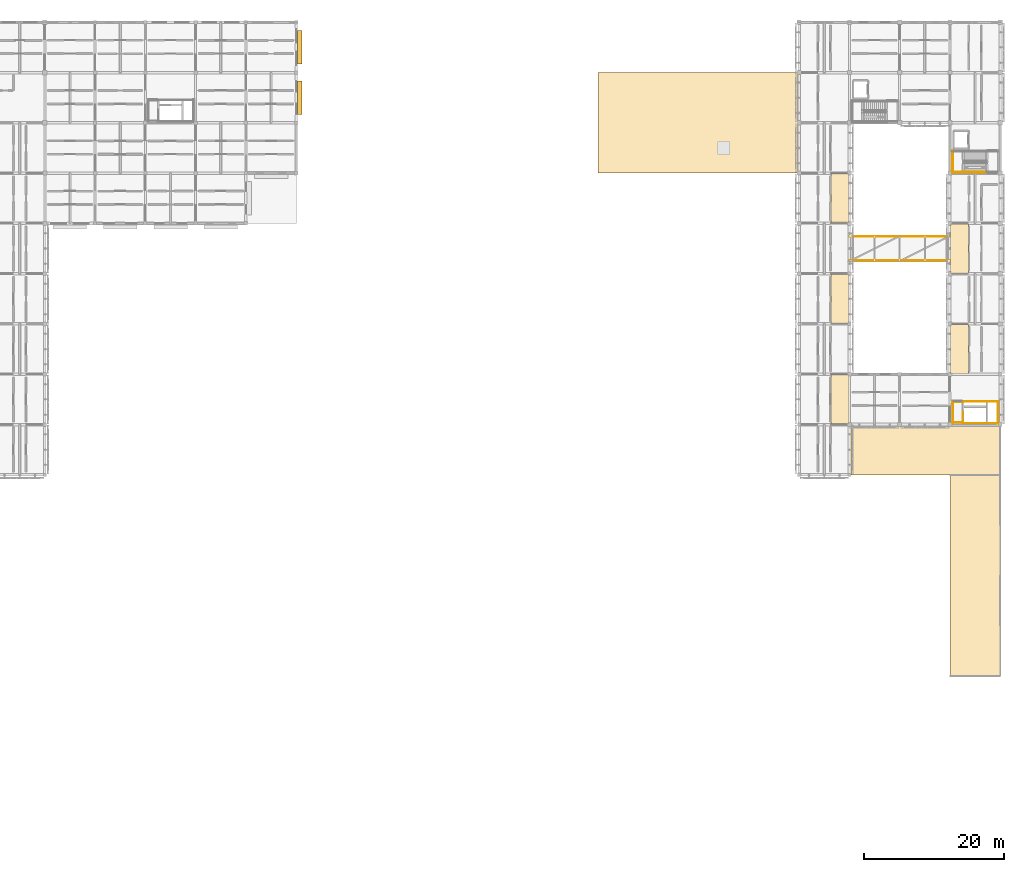
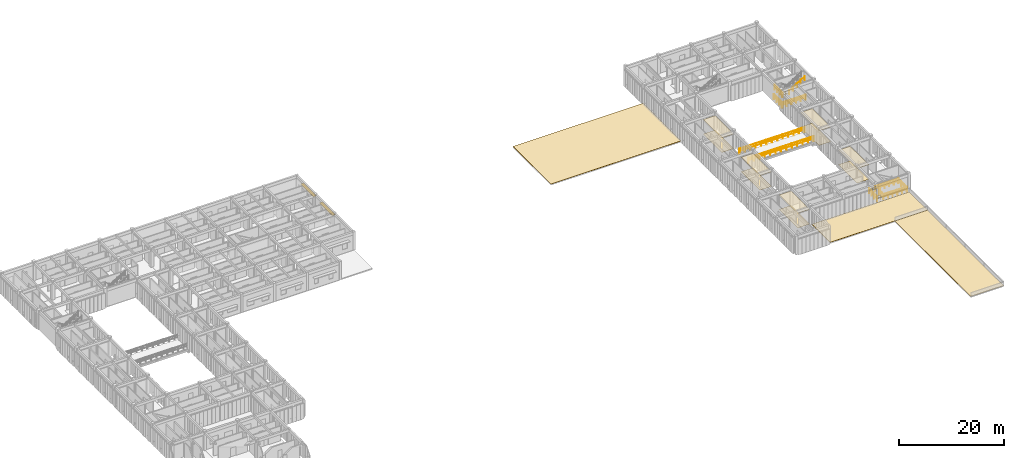
# One storey, part 90 of 91: 14 railings, 13 coverings, 2 shading devices.
"""IFC4 building model written with IfcOpenShell, lengths in metres."""

from ifc_helpers import new_model, si_unit, direction, frame, origin, origin_2d, place, context, subcontext, project, spatial, polyline, rectangle, circle, outline, extrude, material, layer, layer_set, type_object, element, save


model = new_model("IFC4")

# Units and contexts
model_context = context("Model", 3, precision=1e-05, world=origin(), true_north=direction((0.0, 1.0)))
body_context = subcontext(model_context, "Body", "Model", "MODEL_VIEW")
ifc_project = project(units=[si_unit("LENGTHUNIT", "METRE"), si_unit("AREAUNIT", "SQUARE_METRE"), si_unit("VOLUMEUNIT", "CUBIC_METRE"), si_unit("PLANEANGLEUNIT", "RADIAN"), si_unit("MASSUNIT", "GRAM", prefix="KILO")], contexts=[model_context])

# Site, building, storey
site_placement = place(None, origin())
site = spatial("IfcSite", under=ifc_project, at=site_placement, CompositionType="ELEMENT")
building_placement = place(site_placement, origin())
building = spatial("IfcBuilding", under=site, at=building_placement, Name="Aldebral Square Health Centre", CompositionType="ELEMENT")
storey_placement = place(building_placement, frame((0.0, 0.0, 9.0)))
storey = spatial("IfcBuildingStorey", under=building, at=storey_placement, Name="L02", CompositionType="ELEMENT", Elevation=9.0)

# Coverings
ifc_material_1 = material(Name="Hygienic acoustic mineral ceiling tile")
ifc_layer_1 = layer(ifc_material_1, 0.02001953125, Name="Hygienic acoustic mineral ceiling tile")
ifc_layer_set_1 = layer_set([ifc_layer_1], Name="Hygienic acoustic mineral ceiling tile")
covering_type_1 = type_object("IfcCoveringType", Name="COV-CLG-AC", PredefinedType="CEILING", material=ifc_layer_set_1)
covering_1_placement = place(storey_placement, frame((0.0, 0.0, 3.360107421875)))
element("IfcCovering", 1, at=covering_1_placement, inside=storey, type_object=covering_type_1, Name="L02 Orthopaedic Cast Clinic 20.9E acoustic ceiling", PredefinedType="CEILING", context=body_context, shape_type="SweptSolid", body=[
    extrude(outline(polyline([(141.340087890625, 57.659912109375), (143.93994140625, 57.659912109375), (143.93994140625, 64.739990234375), (141.340087890625, 64.739990234375), (141.340087890625, 57.659912109375)])), origin(), (0.0, 0.0, 1.0), 0.019775390625),
])
covering_2_placement = place(storey_placement, frame((0.0, 0.0, 3.360107421875)))
element("IfcCovering", 2, at=covering_2_placement, inside=storey, type_object=covering_type_1, Name="L02 Ophthalmology Exam Suite 20.11E acoustic ceiling", PredefinedType="CEILING", context=body_context, shape_type="SweptSolid", body=[
    extrude(outline(polyline([(141.340087890625, 72.06005859375), (143.93994140625, 72.06005859375), (143.93994140625, 79.139892578125), (141.340087890625, 79.139892578125), (141.340087890625, 72.06005859375)])), origin(), (0.0, 0.0, 1.0), 0.019775390625),
])
covering_3_placement = place(storey_placement, frame((0.0, 0.0, 3.360107421875)))
element("IfcCovering", 3, at=covering_3_placement, inside=storey, type_object=covering_type_1, Name="L02 Accessible WC 20.13E acoustic ceiling", PredefinedType="CEILING", context=body_context, shape_type="SweptSolid", body=[
    extrude(outline(polyline([(141.340087890625, 86.4599609375), (143.93994140625, 86.4599609375), (143.93994140625, 93.5400390625), (141.340087890625, 93.5400390625), (141.340087890625, 86.4599609375)])), origin(), (0.0, 0.0, 1.0), 0.019775390625),
])
covering_4_placement = place(storey_placement, frame((0.0, 0.0, 3.360107421875)))
element("IfcCovering", 4, at=covering_4_placement, inside=storey, type_object=covering_type_1, Name="L02 Orthopaedic Cast Clinic 23.10W acoustic ceiling", PredefinedType="CEILING", context=body_context, shape_type="SweptSolid", body=[
    extrude(outline(polyline([(158.4599609375, 64.860107421875), (161.06005859375, 64.860107421875), (161.06005859375, 71.93994140625), (158.4599609375, 71.93994140625), (158.4599609375, 64.860107421875)])), origin(), (0.0, 0.0, 1.0), 0.019775390625),
])
covering_5_placement = place(storey_placement, frame((0.0, 0.0, 3.360107421875)))
element("IfcCovering", 5, at=covering_5_placement, inside=storey, type_object=covering_type_1, Name="L02 Ophthalmology Exam Suite 23.12W acoustic ceiling", PredefinedType="CEILING", context=body_context, shape_type="SweptSolid", body=[
    extrude(outline(polyline([(158.4599609375, 79.260009765625), (161.06005859375, 79.260009765625), (161.06005859375, 86.340087890625), (158.4599609375, 86.340087890625), (158.4599609375, 79.260009765625)])), origin(), (0.0, 0.0, 1.0), 0.019775390625),
])
ifc_material_2 = material(Name="Antimicrobial clinical vinyl flooring")
ifc_layer_2 = layer(ifc_material_2, 0.014892578125, Name="Antimicrobial clinical vinyl flooring")
ifc_layer_set_2 = layer_set([ifc_layer_2], Name="Antimicrobial clinical vinyl flooring")
covering_type_2 = type_object("IfcCoveringType", Name="COV-FLR-VN", PredefinedType="FLOORING", material=ifc_layer_set_2)
covering_6_placement = place(storey_placement, origin())
element("IfcCovering", 6, at=covering_6_placement, inside=storey, type_object=covering_type_2, Name="L02 Orthopaedic Cast Clinic 20.9E clinical flooring", PredefinedType="FLOORING", context=body_context, shape_type="SweptSolid", body=[
    extrude(outline(polyline([(141.340087890625, 57.659912109375), (143.93994140625, 57.659912109375), (143.93994140625, 64.739990234375), (141.340087890625, 64.739990234375), (141.340087890625, 57.659912109375)])), origin(), (0.0, 0.0, 1.0), 0.014892578125),
])
covering_7_placement = place(storey_placement, origin())
element("IfcCovering", 7, at=covering_7_placement, inside=storey, type_object=covering_type_2, Name="L02 Ophthalmology Exam Suite 20.11E clinical flooring", PredefinedType="FLOORING", context=body_context, shape_type="SweptSolid", body=[
    extrude(outline(polyline([(141.340087890625, 72.06005859375), (143.93994140625, 72.06005859375), (143.93994140625, 79.139892578125), (141.340087890625, 79.139892578125), (141.340087890625, 72.06005859375)])), origin(), (0.0, 0.0, 1.0), 0.014892578125),
])
covering_8_placement = place(storey_placement, origin())
element("IfcCovering", 8, at=covering_8_placement, inside=storey, type_object=covering_type_2, Name="L02 Accessible WC 20.13E clinical flooring", PredefinedType="FLOORING", context=body_context, shape_type="SweptSolid", body=[
    extrude(outline(polyline([(141.340087890625, 86.4599609375), (143.93994140625, 86.4599609375), (143.93994140625, 93.5400390625), (141.340087890625, 93.5400390625), (141.340087890625, 86.4599609375)])), origin(), (0.0, 0.0, 1.0), 0.014892578125),
])
covering_9_placement = place(storey_placement, origin())
element("IfcCovering", 9, at=covering_9_placement, inside=storey, type_object=covering_type_2, Name="L02 Orthopaedic Cast Clinic 23.10W clinical flooring", PredefinedType="FLOORING", context=body_context, shape_type="SweptSolid", body=[
    extrude(outline(polyline([(158.4599609375, 64.860107421875), (161.06005859375, 64.860107421875), (161.06005859375, 71.93994140625), (158.4599609375, 71.93994140625), (158.4599609375, 64.860107421875)])), origin(), (0.0, 0.0, 1.0), 0.014892578125),
])
covering_10_placement = place(storey_placement, origin())
element("IfcCovering", 10, at=covering_10_placement, inside=storey, type_object=covering_type_2, Name="L02 Ophthalmology Exam Suite 23.12W clinical flooring", PredefinedType="FLOORING", context=body_context, shape_type="SweptSolid", body=[
    extrude(outline(polyline([(158.4599609375, 79.260009765625), (161.06005859375, 79.260009765625), (161.06005859375, 86.340087890625), (158.4599609375, 86.340087890625), (158.4599609375, 79.260009765625)])), origin(), (0.0, 0.0, 1.0), 0.014892578125),
])
ifc_material_3 = material(Name="Reflective insulated membrane roofing")
ifc_layer_3 = layer(ifc_material_3, 0.050048828125, Name="Reflective insulated membrane roofing")
ifc_layer_set_3 = layer_set([ifc_layer_3], Name="Reflective insulated membrane roofing")
covering_type_3 = type_object("IfcCoveringType", Name="COV-RF-50", PredefinedType="ROOFING", material=ifc_layer_set_3)
covering_11_placement = place(storey_placement, origin())
element("IfcCovering", 11, at=covering_11_placement, inside=storey, type_object=covering_type_3, Name="L01 V3 roof slab 1 insulated roof membrane", PredefinedType="ROOFING", context=body_context, shape_type="SweptSolid", body=[
    extrude(outline(polyline([(158.39990234375, 28.800048828125), (158.39990234375, 36.0), (158.39990234375, 43.199951171875), (158.39990234375, 50.39990234375), (165.60009765625, 50.39990234375), (165.60009765625, 43.199951171875), (165.60009765625, 36.0), (165.60009765625, 28.800048828125), (165.60009765625, 21.60009765625), (158.39990234375, 21.60009765625), (158.39990234375, 28.800048828125)])), origin(), (0.0, 0.0, 1.0), 0.050048828125),
])
covering_12_placement = place(storey_placement, origin())
element("IfcCovering", 12, at=covering_12_placement, inside=storey, type_object=covering_type_3, Name="L01 V5 roof slab 1 insulated roof membrane", PredefinedType="ROOFING", context=body_context, shape_type="SweptSolid", body=[
    extrude(outline(polyline([(115.199951171875, 108.0), (122.39990234375, 108.0), (129.60009765625, 108.0), (136.580078125, 108.0), (136.580078125, 93.60009765625), (129.60009765625, 93.60009765625), (122.39990234375, 93.60009765625), (115.199951171875, 93.60009765625), (108.0, 93.60009765625), (108.0, 100.800048828125), (108.0, 108.0), (115.199951171875, 108.0)])), origin(), (0.0, 0.0, 1.0), 0.050048828125),
])
covering_13_placement = place(storey_placement, origin())
element("IfcCovering", 13, at=covering_13_placement, inside=storey, type_object=covering_type_3, Name="L01 V5 roof slab 2 insulated roof membrane", PredefinedType="ROOFING", context=body_context, shape_type="SweptSolid", body=[
    extrude(outline(polyline([(165.60009765625, 50.39990234375), (158.39990234375, 50.39990234375), (151.199951171875, 50.39990234375), (144.219970703125, 50.39990234375), (144.219970703125, 57.3798828125), (165.60009765625, 57.3798828125), (165.60009765625, 50.39990234375)])), origin(), (0.0, 0.0, 1.0), 0.050048828125),
])

# Railings
ifc_material_4 = material(Name="Cream cantera and steel balustrade", Category="steel")
railing_type_1 = type_object("IfcRailingType", Name="RL-EXT-BAL", PredefinedType="BALUSTRADE", material=ifc_material_4)
railing_1_placement = place(storey_placement, frame((144.080078125, 81.080078125, 0.0)))
element("IfcRailing", 14, at=railing_1_placement, inside=storey, type_object=railing_type_1, Name="East Light Court Bridge L02 balustrade S", PredefinedType="BALUSTRADE", context=body_context, shape_type="SweptSolid", body=[
    extrude(circle(Radius=0.02392578125, at=origin_2d()), frame((0.0, 0.0, 1.09619140625), z_axis=(1.0, 0.0, 0.0), x_axis=(0.0, 1.0, 0.0)), (0.0, 0.0, 1.0), 14.239990234375),
    extrude(circle(Radius=0.02392578125, at=origin_2d()), frame((0.0, 0.0, 0.56005859375), z_axis=(1.0, 0.0, 0.0), x_axis=(0.0, 1.0, 0.0)), (0.0, 0.0, 1.0), 14.239990234375),
    extrude(circle(Radius=0.02099609375, at=origin_2d()), origin(), (0.0, 0.0, 1.0), 1.072021484375),
    extrude(circle(Radius=0.02099609375, at=origin_2d()), frame((1.186767578125, 0.0, 0.0)), (0.0, 0.0, 1.0), 1.072021484375),
    extrude(circle(Radius=0.02099609375, at=origin_2d()), frame((2.373291015625, 0.0, 0.0)), (0.0, 0.0, 1.0), 1.072021484375),
    extrude(circle(Radius=0.02099609375, at=origin_2d()), frame((3.56005859375, 0.0, 0.0)), (0.0, 0.0, 1.0), 1.072021484375),
    extrude(circle(Radius=0.02099609375, at=origin_2d()), frame((4.74658203125, 0.0, 0.0)), (0.0, 0.0, 1.0), 1.072021484375),
    extrude(circle(Radius=0.02099609375, at=origin_2d()), frame((5.933349609375, 0.0, 0.0)), (0.0, 0.0, 1.0), 1.072021484375),
    extrude(circle(Radius=0.02099609375, at=origin_2d()), frame((7.1201171875, 0.0, 0.0)), (0.0, 0.0, 1.0), 1.072021484375),
    extrude(circle(Radius=0.02099609375, at=origin_2d()), frame((8.306640625, 0.0, 0.0)), (0.0, 0.0, 1.0), 1.072021484375),
    extrude(circle(Radius=0.02099609375, at=origin_2d()), frame((9.493408203125, 0.0, 0.0)), (0.0, 0.0, 1.0), 1.072021484375),
    extrude(circle(Radius=0.02099609375, at=origin_2d()), frame((10.679931640625, 0.0, 0.0)), (0.0, 0.0, 1.0), 1.072021484375),
    extrude(circle(Radius=0.02099609375, at=origin_2d()), frame((11.86669921875, 0.0, 0.0)), (0.0, 0.0, 1.0), 1.072021484375),
    extrude(circle(Radius=0.02099609375, at=origin_2d()), frame((13.05322265625, 0.0, 0.0)), (0.0, 0.0, 1.0), 1.072021484375),
    extrude(circle(Radius=0.02099609375, at=origin_2d()), frame((14.239990234375, 0.0, 0.0)), (0.0, 0.0, 1.0), 1.072021484375),
])
railing_2_placement = place(storey_placement, frame((144.080078125, 84.52001953125, 0.0)))
element("IfcRailing", 15, at=railing_2_placement, inside=storey, type_object=railing_type_1, Name="East Light Court Bridge L02 balustrade N", PredefinedType="BALUSTRADE", context=body_context, shape_type="SweptSolid", body=[
    extrude(circle(Radius=0.02392578125, at=origin_2d()), frame((0.0, 0.0, 1.09619140625), z_axis=(1.0, 0.0, 0.0), x_axis=(0.0, 1.0, 0.0)), (0.0, 0.0, 1.0), 14.239990234375),
    extrude(circle(Radius=0.02392578125, at=origin_2d()), frame((0.0, 0.0, 0.56005859375), z_axis=(1.0, 0.0, 0.0), x_axis=(0.0, 1.0, 0.0)), (0.0, 0.0, 1.0), 14.239990234375),
    extrude(circle(Radius=0.02099609375, at=origin_2d()), origin(), (0.0, 0.0, 1.0), 1.072021484375),
    extrude(circle(Radius=0.02099609375, at=origin_2d()), frame((1.186767578125, 0.0, 0.0)), (0.0, 0.0, 1.0), 1.072021484375),
    extrude(circle(Radius=0.02099609375, at=origin_2d()), frame((2.373291015625, 0.0, 0.0)), (0.0, 0.0, 1.0), 1.072021484375),
    extrude(circle(Radius=0.02099609375, at=origin_2d()), frame((3.56005859375, 0.0, 0.0)), (0.0, 0.0, 1.0), 1.072021484375),
    extrude(circle(Radius=0.02099609375, at=origin_2d()), frame((4.74658203125, 0.0, 0.0)), (0.0, 0.0, 1.0), 1.072021484375),
    extrude(circle(Radius=0.02099609375, at=origin_2d()), frame((5.933349609375, 0.0, 0.0)), (0.0, 0.0, 1.0), 1.072021484375),
    extrude(circle(Radius=0.02099609375, at=origin_2d()), frame((7.1201171875, 0.0, 0.0)), (0.0, 0.0, 1.0), 1.072021484375),
    extrude(circle(Radius=0.02099609375, at=origin_2d()), frame((8.306640625, 0.0, 0.0)), (0.0, 0.0, 1.0), 1.072021484375),
    extrude(circle(Radius=0.02099609375, at=origin_2d()), frame((9.493408203125, 0.0, 0.0)), (0.0, 0.0, 1.0), 1.072021484375),
    extrude(circle(Radius=0.02099609375, at=origin_2d()), frame((10.679931640625, 0.0, 0.0)), (0.0, 0.0, 1.0), 1.072021484375),
    extrude(circle(Radius=0.02099609375, at=origin_2d()), frame((11.86669921875, 0.0, 0.0)), (0.0, 0.0, 1.0), 1.072021484375),
    extrude(circle(Radius=0.02099609375, at=origin_2d()), frame((13.05322265625, 0.0, 0.0)), (0.0, 0.0, 1.0), 1.072021484375),
    extrude(circle(Radius=0.02099609375, at=origin_2d()), frame((14.239990234375, 0.0, 0.0)), (0.0, 0.0, 1.0), 1.072021484375),
])
ifc_material_5 = material(Name="Painted steel S355JR stair guard", Category="steel")
railing_type_2 = type_object("IfcRailingType", Name="RL-ST-GRD", PredefinedType="GUARDRAIL", material=ifc_material_5)
railing_3_placement = place(storey_placement, frame((160.300048828125, 93.77001953125, 2.25)))
element("IfcRailing", 16, at=railing_3_placement, inside=storey, type_object=railing_type_2, Name="L02 ST-03 stair guard 4", PredefinedType="GUARDRAIL", context=body_context, shape_type="SweptSolid", body=[
    extrude(circle(Radius=0.02392578125, at=origin_2d()), frame((0.0, 0.0, 1.09619140625), z_axis=(-1.0, 0.0, 0.0), x_axis=(0.0, -1.0, 0.0)), (0.0, 0.0, 1.0), 1.52001953125),
    extrude(circle(Radius=0.02392578125, at=origin_2d()), frame((0.0, 0.0, 0.56005859375), z_axis=(-1.0, 0.0, 0.0), x_axis=(0.0, -1.0, 0.0)), (0.0, 0.0, 1.0), 1.52001953125),
    extrude(circle(Radius=0.02099609375, at=origin_2d()), origin(), (0.0, 0.0, 1.0), 1.072021484375),
    extrude(circle(Radius=0.02099609375, at=origin_2d()), frame((-0.760009765625, 0.0, 0.0)), (0.0, 0.0, 1.0), 1.072021484375),
    extrude(circle(Radius=0.02099609375, at=origin_2d()), frame((-1.52001953125, 0.0, 0.0)), (0.0, 0.0, 1.0), 1.072021484375),
])
railing_4_placement = place(storey_placement, frame((158.830078125, 96.719970703125, 2.25)))
element("IfcRailing", 17, at=railing_4_placement, inside=storey, type_object=railing_type_2, Name="L02 ST-03 stair guard 5", PredefinedType="GUARDRAIL", context=body_context, shape_type="SweptSolid", body=[
    extrude(circle(Radius=0.02392578125, at=origin_2d()), frame((0.0, 0.0, 1.09619140625), z_axis=(0.0, -1.0, 0.0), x_axis=(1.0, 0.0, 0.0)), (0.0, 0.0, 1.0), 3.0),
    extrude(circle(Radius=0.02392578125, at=origin_2d()), frame((0.0, 0.0, 0.56005859375), z_axis=(0.0, -1.0, 0.0), x_axis=(1.0, 0.0, 0.0)), (0.0, 0.0, 1.0), 3.0),
    extrude(circle(Radius=0.02099609375, at=origin_2d()), origin(), (0.0, 0.0, 1.0), 1.072021484375),
    extrude(circle(Radius=0.02099609375, at=origin_2d()), frame((0.0, -1.0, 0.0)), (0.0, 0.0, 1.0), 1.072021484375),
    extrude(circle(Radius=0.02099609375, at=origin_2d()), frame((0.0, -2.0, 0.0)), (0.0, 0.0, 1.0), 1.072021484375),
    extrude(circle(Radius=0.02099609375, at=origin_2d()), frame((0.0, -3.0, 0.0)), (0.0, 0.0, 1.0), 1.072021484375),
])
railing_5_placement = place(storey_placement, frame((163.820068359375, 93.669921875, 0.0)))
element("IfcRailing", 18, at=railing_5_placement, inside=storey, type_object=railing_type_2, Name="L02 ST-03 stair guard 11", PredefinedType="GUARDRAIL", context=body_context, shape_type="SweptSolid", body=[
    extrude(circle(Radius=0.02392578125, at=origin_2d()), frame((0.0, 0.0, 1.09619140625), z_axis=(-1.0, 0.0, 0.0), x_axis=(0.0, -1.0, 0.0)), (0.0, 0.0, 1.0), 5.14013671875),
    extrude(circle(Radius=0.02392578125, at=origin_2d()), frame((0.0, 0.0, 0.56005859375), z_axis=(-1.0, 0.0, 0.0), x_axis=(0.0, -1.0, 0.0)), (0.0, 0.0, 1.0), 5.14013671875),
    extrude(circle(Radius=0.02099609375, at=origin_2d()), origin(), (0.0, 0.0, 1.0), 1.072021484375),
    extrude(circle(Radius=0.02099609375, at=origin_2d()), frame((-1.028076171875, 0.0, 0.0)), (0.0, 0.0, 1.0), 1.072021484375),
    extrude(circle(Radius=0.02099609375, at=origin_2d()), frame((-2.05615234375, 0.0, 0.0)), (0.0, 0.0, 1.0), 1.072021484375),
    extrude(circle(Radius=0.02099609375, at=origin_2d()), frame((-3.083984375, 0.0, 0.0)), (0.0, 0.0, 1.0), 1.072021484375),
    extrude(circle(Radius=0.02099609375, at=origin_2d()), frame((-4.112060546875, 0.0, 0.0)), (0.0, 0.0, 1.0), 1.072021484375),
    extrude(circle(Radius=0.02099609375, at=origin_2d()), frame((-5.14013671875, 0.0, 0.0)), (0.0, 0.0, 1.0), 1.072021484375),
])
railing_6_placement = place(storey_placement, frame((158.72998046875, 96.820068359375, 0.0)))
element("IfcRailing", 19, at=railing_6_placement, inside=storey, type_object=railing_type_2, Name="L02 ST-03 stair guard 12", PredefinedType="GUARDRAIL", context=body_context, shape_type="SweptSolid", body=[
    extrude(circle(Radius=0.02392578125, at=origin_2d()), frame((0.0, 0.0, 1.09619140625), z_axis=(0.0, -1.0, 0.0), x_axis=(1.0, 0.0, 0.0)), (0.0, 0.0, 1.0), 3.199951171875),
    extrude(circle(Radius=0.02392578125, at=origin_2d()), frame((0.0, 0.0, 0.56005859375), z_axis=(0.0, -1.0, 0.0), x_axis=(1.0, 0.0, 0.0)), (0.0, 0.0, 1.0), 3.199951171875),
    extrude(circle(Radius=0.02099609375, at=origin_2d()), origin(), (0.0, 0.0, 1.0), 1.072021484375),
    extrude(circle(Radius=0.02099609375, at=origin_2d()), frame((0.0, -1.066650390625, 0.0)), (0.0, 0.0, 1.0), 1.072021484375),
    extrude(circle(Radius=0.02099609375, at=origin_2d()), frame((0.0, -2.13330078125, 0.0)), (0.0, 0.0, 1.0), 1.072021484375),
    extrude(circle(Radius=0.02099609375, at=origin_2d()), frame((0.0, -3.199951171875, 0.0)), (0.0, 0.0, 1.0), 1.072021484375),
])
railing_7_placement = place(storey_placement, frame((160.22998046875, 57.840087890625, 0.0)))
element("IfcRailing", 20, at=railing_7_placement, inside=storey, type_object=railing_type_2, Name="L02 ST-09 top well guard 1", PredefinedType="GUARDRAIL", context=body_context, shape_type="SweptSolid", body=[
    extrude(circle(Radius=0.02392578125, at=origin_2d()), frame((0.0, 0.0, 1.09619140625), z_axis=(0.0, 1.0, 0.0), x_axis=(-1.0, 0.0, 0.0)), (0.0, 0.0, 1.0), 1.599853515625),
    extrude(circle(Radius=0.02392578125, at=origin_2d()), frame((0.0, 0.0, 0.56005859375), z_axis=(0.0, 1.0, 0.0), x_axis=(-1.0, 0.0, 0.0)), (0.0, 0.0, 1.0), 1.599853515625),
    extrude(circle(Radius=0.02099609375, at=origin_2d()), origin(), (0.0, 0.0, 1.0), 1.072021484375),
    extrude(circle(Radius=0.02099609375, at=origin_2d()), frame((0.0, 0.7998046875, 0.0)), (0.0, 0.0, 1.0), 1.072021484375),
    extrude(circle(Radius=0.02099609375, at=origin_2d()), frame((0.0, 1.599853515625, 0.0)), (0.0, 0.0, 1.0), 1.072021484375),
])
for number, where, name in (
    (21, (160.179931640625, 57.7900390625, 0.0), "L02 ST-09 top well guard 2"),
    (22, (160.179931640625, 60.889892578125, 0.0), "L02 ST-09 top well guard 3"),
):
    element("IfcRailing", number, at=place(storey_placement, frame(where)), inside=storey, type_object=railing_type_2, Name=name, PredefinedType="GUARDRAIL", context=body_context, shape_type="SweptSolid", body=[
        extrude(circle(Radius=0.02392578125, at=origin_2d()), frame((0.0, 0.0, 1.09619140625), z_axis=(1.0, 0.0, 0.0), x_axis=(0.0, 1.0, 0.0)), (0.0, 0.0, 1.0), 5.14013671875),
        extrude(circle(Radius=0.02392578125, at=origin_2d()), frame((0.0, 0.0, 0.56005859375), z_axis=(1.0, 0.0, 0.0), x_axis=(0.0, 1.0, 0.0)), (0.0, 0.0, 1.0), 5.14013671875),
        extrude(circle(Radius=0.02099609375, at=origin_2d()), origin(), (0.0, 0.0, 1.0), 1.072021484375),
        extrude(circle(Radius=0.02099609375, at=origin_2d()), frame((1.028076171875, 0.0, 0.0)), (0.0, 0.0, 1.0), 1.072021484375),
        extrude(circle(Radius=0.02099609375, at=origin_2d()), frame((2.05615234375, 0.0, 0.0)), (0.0, 0.0, 1.0), 1.072021484375),
        extrude(circle(Radius=0.02099609375, at=origin_2d()), frame((3.083984375, 0.0, 0.0)), (0.0, 0.0, 1.0), 1.072021484375),
        extrude(circle(Radius=0.02099609375, at=origin_2d()), frame((4.112060546875, 0.0, 0.0)), (0.0, 0.0, 1.0), 1.072021484375),
        extrude(circle(Radius=0.02099609375, at=origin_2d()), frame((5.14013671875, 0.0, 0.0)), (0.0, 0.0, 1.0), 1.072021484375),
    ])
railing_8_placement = place(storey_placement, frame((165.27001953125, 57.739990234375, 0.0)))
element("IfcRailing", 23, at=railing_8_placement, inside=storey, type_object=railing_type_2, Name="L02 ST-09 top well guard 4", PredefinedType="GUARDRAIL", context=body_context, shape_type="SweptSolid", body=[
    extrude(circle(Radius=0.02392578125, at=origin_2d()), frame((0.0, 0.0, 1.09619140625), z_axis=(0.0, 1.0, 0.0), x_axis=(-1.0, 0.0, 0.0)), (0.0, 0.0, 1.0), 3.199951171875),
    extrude(circle(Radius=0.02392578125, at=origin_2d()), frame((0.0, 0.0, 0.56005859375), z_axis=(0.0, 1.0, 0.0), x_axis=(-1.0, 0.0, 0.0)), (0.0, 0.0, 1.0), 3.199951171875),
    extrude(circle(Radius=0.02099609375, at=origin_2d()), origin(), (0.0, 0.0, 1.0), 1.072021484375),
    extrude(circle(Radius=0.02099609375, at=origin_2d()), frame((0.0, 1.066650390625, 0.0)), (0.0, 0.0, 1.0), 1.072021484375),
    extrude(circle(Radius=0.02099609375, at=origin_2d()), frame((0.0, 2.13330078125, 0.0)), (0.0, 0.0, 1.0), 1.072021484375),
    extrude(circle(Radius=0.02099609375, at=origin_2d()), frame((0.0, 3.199951171875, 0.0)), (0.0, 0.0, 1.0), 1.072021484375),
])
for number, where, name in (
    (24, (158.780029296875, 57.889892578125, 0.0), "L02 ST-09 top well guard 5"),
    (25, (158.780029296875, 60.7900390625, 0.0), "L02 ST-09 top well guard 6"),
):
    element("IfcRailing", number, at=place(storey_placement, frame(where)), inside=storey, type_object=railing_type_2, Name=name, PredefinedType="GUARDRAIL", context=body_context, shape_type="SweptSolid", body=[
        extrude(circle(Radius=0.02392578125, at=origin_2d()), frame((0.0, 0.0, 1.09619140625), z_axis=(1.0, 0.0, 0.0), x_axis=(0.0, 1.0, 0.0)), (0.0, 0.0, 1.0), 1.5),
        extrude(circle(Radius=0.02392578125, at=origin_2d()), frame((0.0, 0.0, 0.56005859375), z_axis=(1.0, 0.0, 0.0), x_axis=(0.0, 1.0, 0.0)), (0.0, 0.0, 1.0), 1.5),
        extrude(circle(Radius=0.02099609375, at=origin_2d()), origin(), (0.0, 0.0, 1.0), 1.072021484375),
        extrude(circle(Radius=0.02099609375, at=origin_2d()), frame((0.75, 0.0, 0.0)), (0.0, 0.0, 1.0), 1.072021484375),
        extrude(circle(Radius=0.02099609375, at=origin_2d()), frame((1.5, 0.0, 0.0)), (0.0, 0.0, 1.0), 1.072021484375),
    ])
railing_9_placement = place(storey_placement, frame((158.830078125, 57.840087890625, 0.0)))
element("IfcRailing", 26, at=railing_9_placement, inside=storey, type_object=railing_type_2, Name="L02 ST-09 top well guard 7", PredefinedType="GUARDRAIL", context=body_context, shape_type="SweptSolid", body=[
    extrude(circle(Radius=0.02392578125, at=origin_2d()), frame((0.0, 0.0, 1.09619140625), z_axis=(0.0, 1.0, 0.0), x_axis=(-1.0, 0.0, 0.0)), (0.0, 0.0, 1.0), 3.0),
    extrude(circle(Radius=0.02392578125, at=origin_2d()), frame((0.0, 0.0, 0.56005859375), z_axis=(0.0, 1.0, 0.0), x_axis=(-1.0, 0.0, 0.0)), (0.0, 0.0, 1.0), 3.0),
    extrude(circle(Radius=0.02099609375, at=origin_2d()), origin(), (0.0, 0.0, 1.0), 1.072021484375),
    extrude(circle(Radius=0.02099609375, at=origin_2d()), frame((0.0, 1.0, 0.0)), (0.0, 0.0, 1.0), 1.072021484375),
    extrude(circle(Radius=0.02099609375, at=origin_2d()), frame((0.0, 2.0, 0.0)), (0.0, 0.0, 1.0), 1.072021484375),
    extrude(circle(Radius=0.02099609375, at=origin_2d()), frame((0.0, 3.0, 0.0)), (0.0, 0.0, 1.0), 1.072021484375),
])
ifc_material_6 = material(Name="Brushed stainless steel handrail", Category="steel")
railing_type_3 = type_object("IfcRailingType", Name="RL-ST-HND", PredefinedType="HANDRAIL", material=ifc_material_6)
railing_10_placement = place(storey_placement, frame((160.300048828125, 93.77001953125, 2.423095703125)))
element("IfcRailing", 27, at=railing_10_placement, inside=storey, type_object=railing_type_3, Name="L02 ST-03 stair handrail 2", PredefinedType="HANDRAIL", context=body_context, shape_type="SweptSolid", body=[
    extrude(circle(Radius=0.02392578125, at=origin_2d()), frame((0.0, 0.0, 0.8759765625), z_axis=(0.854729506542, 0.0, 0.519073665916), x_axis=(0.0, 1.0, 0.0)), (0.0, 0.0, 1.0), 4.001220703125),
    extrude(circle(Radius=0.02099609375, at=origin_2d()), origin(), (0.0, 0.0, 1.0), 0.851806640625),
    extrude(circle(Radius=0.02099609375, at=origin_2d()), frame((0.85498046875, 0.0, 0.519287109375)), (0.0, 0.0, 1.0), 0.851806640625),
    extrude(circle(Radius=0.02099609375, at=origin_2d()), frame((1.7099609375, 0.0, 1.03857421875)), (0.0, 0.0, 1.0), 0.851806640625),
    extrude(circle(Radius=0.02099609375, at=origin_2d()), frame((2.56494140625, 0.0, 1.5576171875)), (0.0, 0.0, 1.0), 0.851806640625),
    extrude(circle(Radius=0.02099609375, at=origin_2d()), frame((3.419921875, 0.0, 2.076904296875)), (0.0, 0.0, 1.0), 0.851806640625),
])

# Shading devices
ifc_material_7 = material(Name="Sienna-terracotta solar hood", Category="masonry")
shading_device_type = type_object("IfcShadingDeviceType", Name="SHD-LVR-1", PredefinedType="JALOUSIE", material=ifc_material_7)
for number, where, z_axis, x_axis, name in (
    (28, (65.284912109375, 104.39990234375, 2.669921875), (0.0, 0.0, 1.0), (0.0, 1.0, 0.0), "L02 solar hood L02-V2-08-14-E"),
    (29, (65.284912109375, 111.60009765625, 2.669921875), (0.0, 0.0, 1.0), (0.0, 1.0, 0.0), "L02 solar hood L02-V2-08-15-E"),
):
    element("IfcShadingDevice", number, at=place(storey_placement, frame(where, z_axis=z_axis, x_axis=x_axis)), inside=storey, type_object=shading_device_type, Name=name, PredefinedType="JALOUSIE", context=body_context, shape_type="SweptSolid", body=[
        extrude(rectangle(XDim=4.800048828125, YDim=0.64990234375, at=origin_2d()), origin(), (0.0, 0.0, 1.0), 0.1201171875),
    ])

save(model, "model.ifc")
